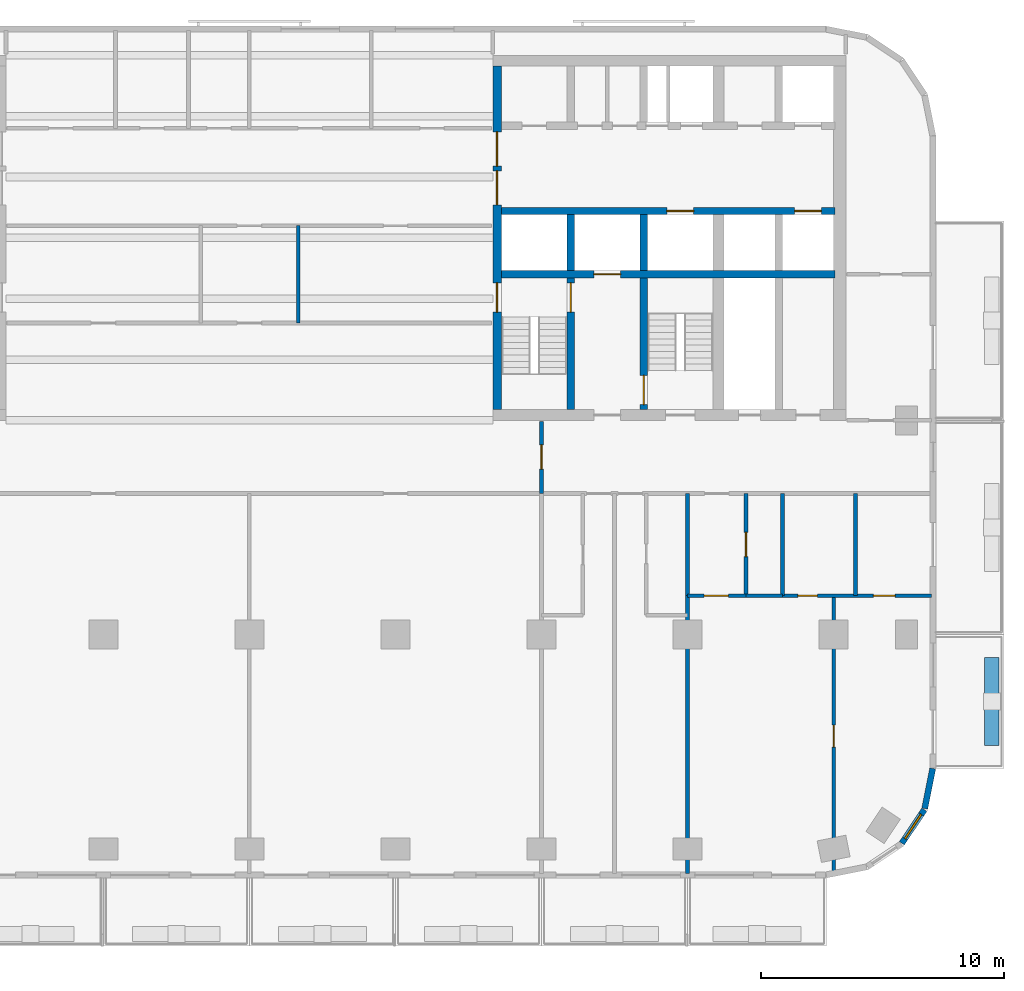
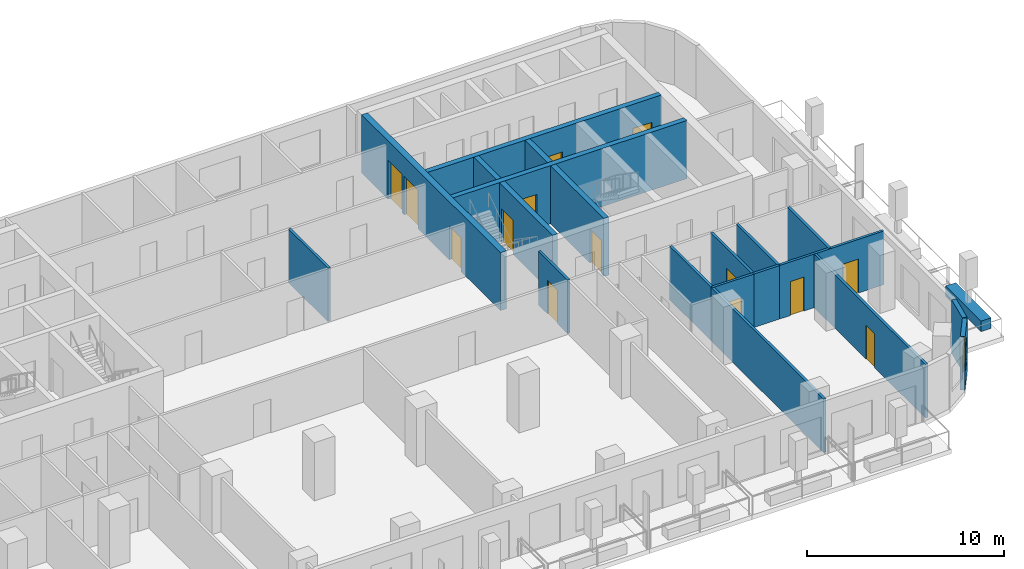
# One storey, part 5 of 11: 21 walls, 14 doors, 1 window, 15 openings.
"""IFC4 building model written with IfcOpenShell, lengths in metres."""

from ifc_helpers import new_model, si_unit, direction, frame, frame_2d, origin, place, context, subcontext, project, spatial, rectangle, extrude, material, layer, layer_set, type_object, element, fill, save


model = new_model("IFC4")

# Units and contexts
model_context = context("Model", 3, precision=1e-05, world=origin(), true_north=direction((0.0, 1.0)))
body_context = subcontext(model_context, "Body", "Model", "MODEL_VIEW")
ifc_project = project(units=[si_unit("LENGTHUNIT", "METRE"), si_unit("AREAUNIT", "SQUARE_METRE"), si_unit("VOLUMEUNIT", "CUBIC_METRE"), si_unit("PLANEANGLEUNIT", "RADIAN"), si_unit("MASSUNIT", "GRAM", prefix="KILO")], contexts=[model_context])

# Site, building, storey
site_placement = place(None, origin())
site = spatial("IfcSite", under=ifc_project, at=site_placement, CompositionType="ELEMENT")
building_placement = place(site_placement, origin())
building = spatial("IfcBuilding", under=site, at=building_placement, Name="Torana Hotel and Residences", CompositionType="ELEMENT")
storey_placement = place(building_placement, frame((0.0, 0.0, 127.199951171875)))
storey = spatial("IfcBuildingStorey", under=building, at=storey_placement, Name="L32", CompositionType="ELEMENT", Elevation=127.199951171875)

# Wall, openings, doors
ifc_material_1 = material(Name="Concrete C70/85", Category="concrete")
ifc_layer_1 = layer(ifc_material_1, 0.300048828125)
ifc_layer_set_1 = layer_set([ifc_layer_1], Name="CORE WALL 300 C70/85")
wall_type_1 = type_object("IfcWallType", Name="CORE WALL 300 C70/85", PredefinedType="SHEAR", material=ifc_layer_set_1)
wall_1_placement = place(storey_placement, frame((10.35009765625, -6.39990234375, 0.0), z_axis=(0.0, 0.0, 1.0), x_axis=(1.0, 0.0, 0.0)))
wall_1 = element("IfcWall", 1, at=wall_1_placement, inside=storey, type_object=wall_type_1, Name="Core wall E row-S", PredefinedType="SHEAR", context=body_context, shape_type="SweptSolid", body=[
    extrude(rectangle(XDim=13.699951171875, YDim=0.300048828125, at=frame_2d((6.85009765625, 0.0))), origin(), (0.0, 0.0, 1.0), 3.60009765625),
])
opening_1_placement = place(wall_1_placement, frame((12.050048828125, 0.0, 0.0)))
opening_1 = element("IfcOpeningElement", 2, at=opening_1_placement, cuts=wall_1, Name="Opening LD", PredefinedType="OPENING", context=body_context, shape_type="SweptSolid", body=[
    extrude(rectangle(XDim=1.10009765625, YDim=2.10009765625, at=frame_2d((0.550048828125, 1.050048828125))), frame((0.0, 0.159912109375, 0.0), z_axis=(0.0, -1.0, 0.0), x_axis=(1.0, 0.0, 0.0)), (0.0, 0.0, 1.0), 0.320068359375),
])
opening_2_placement = place(wall_1_placement, frame((6.800048828125, 0.0, 0.0)))
opening_2 = element("IfcOpeningElement", 3, at=opening_2_placement, cuts=wall_1, Name="Opening LD", PredefinedType="OPENING", context=body_context, shape_type="SweptSolid", body=[
    extrude(rectangle(XDim=1.10009765625, YDim=2.10009765625, at=frame_2d((0.550048828125, 1.050048828125))), frame((0.0, 0.159912109375, 0.0), z_axis=(0.0, -1.0, 0.0), x_axis=(1.0, 0.0, 0.0)), (0.0, 0.0, 1.0), 0.320068359375),
])
ifc_material_2 = material(Name="Stainless steel 316", Category="steel")
door_type_1 = type_object("IfcDoorType", Name="LIFT LANDING DOOR LD 1100x2100", OperationType="DOUBLE_DOOR_SLIDING", PredefinedType="USERDEFINED", material=ifc_material_2)
door_1_placement = place(opening_1_placement, origin())
door_1 = element("IfcDoor", 4, at=door_1_placement, inside=storey, type_object=door_type_1, Name="Lift landing door M4 L32", ObjectType="LIFT LANDING DOOR", OperationType="DOUBLE_DOOR_SLIDING", OverallHeight=2.10009765625, OverallWidth=1.10009765625, PredefinedType="USERDEFINED", context=body_context, shape_type="SweptSolid", body=[
    extrude(rectangle(XDim=1.10009765625, YDim=2.10009765625, at=frame_2d((0.550048828125, 1.050048828125))), frame((0.0, 0.02490234375, 0.0), z_axis=(0.0, -1.0, 0.0), x_axis=(1.0, 0.0, 0.0)), (0.0, 0.0, 1.0), 0.050048828125),
])
fill(opening_1, door_1)
door_2_placement = place(opening_2_placement, origin())
door_2 = element("IfcDoor", 5, at=door_2_placement, inside=storey, type_object=door_type_1, Name="Lift landing door SV2 L32", ObjectType="LIFT LANDING DOOR", OperationType="DOUBLE_DOOR_SLIDING", OverallHeight=2.10009765625, OverallWidth=1.10009765625, PredefinedType="USERDEFINED", context=body_context, shape_type="SweptSolid", body=[
    extrude(rectangle(XDim=1.10009765625, YDim=2.10009765625, at=frame_2d((0.550048828125, 1.050048828125))), frame((0.0, 0.02490234375, 0.0), z_axis=(0.0, -1.0, 0.0), x_axis=(1.0, 0.0, 0.0)), (0.0, 0.0, 1.0), 0.050048828125),
])
fill(opening_2, door_2)

# Wall, opening, door
wall_2_placement = place(storey_placement, frame((10.35009765625, -9.0, 0.0), z_axis=(0.0, 0.0, 1.0), x_axis=(1.0, 0.0, 0.0)))
wall_2 = element("IfcWall", 6, at=wall_2_placement, inside=storey, type_object=wall_type_1, Name="Core wall E band", PredefinedType="SHEAR", context=body_context, shape_type="SweptSolid", body=[
    extrude(rectangle(XDim=13.699951171875, YDim=0.300048828125, at=frame_2d((6.85009765625, 0.0))), origin(), (0.0, 0.0, 1.0), 3.60009765625),
])
opening_3_placement = place(wall_2_placement, frame((3.800048828125, 0.0, 0.0)))
opening_3 = element("IfcOpeningElement", 7, at=opening_3_placement, cuts=wall_2, Name="Opening LD", PredefinedType="OPENING", context=body_context, shape_type="SweptSolid", body=[
    extrude(rectangle(XDim=1.10009765625, YDim=2.10009765625, at=frame_2d((0.550048828125, 1.050048828125))), frame((0.0, 0.159912109375, 0.0), z_axis=(0.0, -1.0, 0.0), x_axis=(1.0, 0.0, 0.0)), (0.0, 0.0, 1.0), 0.320068359375),
])
door_3_placement = place(opening_3_placement, origin())
door_3 = element("IfcDoor", 8, at=door_3_placement, inside=storey, type_object=door_type_1, Name="Lift landing door FF2 L32", ObjectType="LIFT LANDING DOOR", OperationType="DOUBLE_DOOR_SLIDING", OverallHeight=2.10009765625, OverallWidth=1.10009765625, PredefinedType="USERDEFINED", context=body_context, shape_type="SweptSolid", body=[
    extrude(rectangle(XDim=1.10009765625, YDim=2.10009765625, at=frame_2d((0.550048828125, 1.050048828125))), frame((0.0, 0.02490234375, 0.0), z_axis=(0.0, -1.0, 0.0), x_axis=(1.0, 0.0, 0.0)), (0.0, 0.0, 1.0), 0.050048828125),
])
fill(opening_3, door_3)

# Wall
wall_3_placement = place(storey_placement, frame((13.199951171875, -8.85009765625, 0.0), z_axis=(0.0, 0.0, 1.0), x_axis=(0.0, 1.0, 0.0)))
element("IfcWall", 9, at=wall_3_placement, inside=storey, type_object=wall_type_1, Name="Core wall E x3.05-S", PredefinedType="SHEAR", context=body_context, shape_type="SweptSolid", body=[
    extrude(rectangle(XDim=2.300048828125, YDim=0.300048828125, at=frame_2d((1.14990234375, 0.0))), origin(), (0.0, 0.0, 1.0), 3.60009765625),
])

# Wall, opening, door
wall_4_placement = place(storey_placement, frame((13.199951171875, -14.550048828125, 0.0), z_axis=(0.0, 0.0, 1.0), x_axis=(0.0, 1.0, 0.0)))
wall_4 = element("IfcWall", 10, at=wall_4_placement, inside=storey, type_object=wall_type_1, Name="Core wall E x3.05-band", PredefinedType="SHEAR", context=body_context, shape_type="SweptSolid", body=[
    extrude(rectangle(XDim=5.400146484375, YDim=0.300048828125, at=frame_2d((2.7001953125, 0.0))), origin(), (0.0, 0.0, 1.0), 3.60009765625),
])
opening_4_placement = place(wall_4_placement, frame((4.0, 0.0, 0.0)))
opening_4 = element("IfcOpeningElement", 11, at=opening_4_placement, cuts=wall_4, Name="Opening L32-29", PredefinedType="OPENING", context=body_context, shape_type="SweptSolid", body=[
    extrude(rectangle(XDim=1.199951171875, YDim=2.10009765625, at=frame_2d((0.60009765625, 1.050048828125))), frame((0.0, 0.159912109375, 0.0), z_axis=(0.0, -1.0, 0.0), x_axis=(1.0, 0.0, 0.0)), (0.0, 0.0, 1.0), 0.320068359375),
])
ifc_material_3 = material(Name="Steel S235", Category="steel")
door_type_2 = type_object("IfcDoorType", Name="STAIR FIRE DOOR D3 1200x2100", OperationType="SINGLE_SWING_LEFT", PredefinedType="DOOR", material=ifc_material_3)
door_4_placement = place(opening_4_placement, origin())
door_4 = element("IfcDoor", 12, at=door_4_placement, inside=storey, type_object=door_type_2, Name="Stair-A-lobby door L32", OperationType="SINGLE_SWING_LEFT", OverallHeight=2.10009765625, OverallWidth=1.199951171875, PredefinedType="DOOR", context=body_context, shape_type="SweptSolid", body=[
    extrude(rectangle(XDim=1.199951171875, YDim=2.10009765625, at=frame_2d((0.60009765625, 1.050048828125))), frame((0.0, 0.02490234375, 0.0), z_axis=(0.0, -1.0, 0.0), x_axis=(1.0, 0.0, 0.0)), (0.0, 0.0, 1.0), 0.050048828125),
])
fill(opening_4, door_4)

# Wall
wall_5_placement = place(storey_placement, frame((16.199951171875, -8.85009765625, 0.0), z_axis=(0.0, 0.0, 1.0), x_axis=(0.0, 1.0, 0.0)))
element("IfcWall", 13, at=wall_5_placement, inside=storey, type_object=wall_type_1, Name="Core wall E x6.05-S", PredefinedType="SHEAR", context=body_context, shape_type="SweptSolid", body=[
    extrude(rectangle(XDim=2.300048828125, YDim=0.300048828125, at=frame_2d((1.14990234375, 0.0))), origin(), (0.0, 0.0, 1.0), 3.60009765625),
])

# Wall, opening, door
wall_6_placement = place(storey_placement, frame((16.199951171875, -14.550048828125, 0.0), z_axis=(0.0, 0.0, 1.0), x_axis=(0.0, 1.0, 0.0)))
wall_6 = element("IfcWall", 14, at=wall_6_placement, inside=storey, type_object=wall_type_1, Name="Core wall E x6.05-band", PredefinedType="SHEAR", context=body_context, shape_type="SweptSolid", body=[
    extrude(rectangle(XDim=5.400146484375, YDim=0.300048828125, at=frame_2d((2.7001953125, 0.0))), origin(), (0.0, 0.0, 1.0), 3.60009765625),
])
opening_5_placement = place(wall_6_placement, frame((0.199951171875, 0.0, 0.0)))
opening_5 = element("IfcOpeningElement", 15, at=opening_5_placement, cuts=wall_6, Name="Opening L32-30", PredefinedType="OPENING", context=body_context, shape_type="SweptSolid", body=[
    extrude(rectangle(XDim=1.199951171875, YDim=2.10009765625, at=frame_2d((0.60009765625, 1.050048828125))), frame((0.0, 0.159912109375, 0.0), z_axis=(0.0, -1.0, 0.0), x_axis=(1.0, 0.0, 0.0)), (0.0, 0.0, 1.0), 0.320068359375),
])
door_5_placement = place(opening_5_placement, frame((0.60009765625, 0.0, 0.0), z_axis=(0.0, 0.0, 1.0), x_axis=(-1.0, 0.0, 0.0)))
door_5 = element("IfcDoor", 16, at=door_5_placement, inside=storey, type_object=door_type_2, Name="Stair-B-lobby door L32", OperationType="SINGLE_SWING_LEFT", OverallHeight=2.10009765625, OverallWidth=1.199951171875, PredefinedType="DOOR", context=body_context, shape_type="SweptSolid", body=[
    extrude(rectangle(XDim=1.199951171875, YDim=2.10009765625, at=frame_2d((0.0, 1.050048828125))), frame((0.0, -0.02490234375, 0.0), z_axis=(0.0, 1.0, 0.0), x_axis=(-1.0, 0.0, 0.0)), (0.0, 0.0, 1.0), 0.050048828125),
])
fill(opening_5, door_5)

# Wall, openings, doors
ifc_material_4 = material(Name="Concrete C70/85", Category="concrete")
ifc_layer_2 = layer(ifc_material_4, 0.35009765625)
ifc_layer_set_2 = layer_set([ifc_layer_2], Name="CORE WALL 350 C70/85")
wall_type_2 = type_object("IfcWallType", Name="CORE WALL 350 C70/85", PredefinedType="SHEAR", material=ifc_layer_set_2)
wall_7_placement = place(storey_placement, frame((10.175048828125, -14.550048828125, 0.0), z_axis=(0.0, 0.0, 1.0), x_axis=(0.0, 1.0, 0.0)))
wall_7 = element("IfcWall", 17, at=wall_7_placement, inside=storey, type_object=wall_type_2, Name="Core wall E arch", PredefinedType="SHEAR", context=body_context, shape_type="SweptSolid", body=[
    extrude(rectangle(XDim=14.10009765625, YDim=0.35009765625, at=frame_2d((7.050048828125, 0.0))), origin(), (0.0, 0.0, 1.0), 3.60009765625),
])
opening_6_placement = place(wall_7_placement, frame((8.39990234375, 0.0, 0.0)))
opening_6 = element("IfcOpeningElement", 18, at=opening_6_placement, cuts=wall_7, Name="Opening L32-16", PredefinedType="OPENING", context=body_context, shape_type="SweptSolid", body=[
    extrude(rectangle(XDim=1.39990234375, YDim=2.39990234375, at=frame_2d((0.699951171875, 1.199951171875))), frame((0.0, 0.18505859375, 0.0), z_axis=(0.0, -1.0, 0.0), x_axis=(1.0, 0.0, 0.0)), (0.0, 0.0, 1.0), 0.3701171875),
])
opening_7_placement = place(wall_7_placement, frame((10.0, 0.0, 0.0)))
opening_7 = element("IfcOpeningElement", 19, at=opening_7_placement, cuts=wall_7, Name="Opening L32-17", PredefinedType="OPENING", context=body_context, shape_type="SweptSolid", body=[
    extrude(rectangle(XDim=1.39990234375, YDim=2.39990234375, at=frame_2d((0.699951171875, 1.199951171875))), frame((0.0, 0.18505859375, 0.0), z_axis=(0.0, -1.0, 0.0), x_axis=(1.0, 0.0, 0.0)), (0.0, 0.0, 1.0), 0.3701171875),
])
opening_8_placement = place(wall_7_placement, frame((4.0, 0.0, 0.0)))
opening_8 = element("IfcOpeningElement", 20, at=opening_8_placement, cuts=wall_7, Name="Opening L32-18", PredefinedType="OPENING", context=body_context, shape_type="SweptSolid", body=[
    extrude(rectangle(XDim=1.199951171875, YDim=2.10009765625, at=frame_2d((0.60009765625, 1.050048828125))), frame((0.0, 0.18505859375, 0.0), z_axis=(0.0, -1.0, 0.0), x_axis=(1.0, 0.0, 0.0)), (0.0, 0.0, 1.0), 0.3701171875),
])
ifc_material_5 = material(Name="Steel S235", Category="steel")
door_type_3 = type_object("IfcDoorType", Name="LOBBY FIRE DOOR D4 1400x2400", OperationType="DOUBLE_DOOR_SINGLE_SWING", PredefinedType="DOOR", material=ifc_material_5)
door_6_placement = place(opening_6_placement, origin())
door_6 = element("IfcDoor", 21, at=door_6_placement, inside=storey, type_object=door_type_3, Name="Lobby-1 door L32", OperationType="DOUBLE_DOOR_SINGLE_SWING", OverallHeight=2.39990234375, OverallWidth=1.39990234375, PredefinedType="DOOR", context=body_context, shape_type="SweptSolid", body=[
    extrude(rectangle(XDim=1.39990234375, YDim=2.39990234375, at=frame_2d((0.699951171875, 1.199951171875))), frame((0.0, 0.02490234375, 0.0), z_axis=(0.0, -1.0, 0.0), x_axis=(1.0, 0.0, 0.0)), (0.0, 0.0, 1.0), 0.050048828125),
])
fill(opening_6, door_6)
door_7_placement = place(opening_7_placement, origin())
door_7 = element("IfcDoor", 22, at=door_7_placement, inside=storey, type_object=door_type_3, Name="Lobby-2 door L32", OperationType="DOUBLE_DOOR_SINGLE_SWING", OverallHeight=2.39990234375, OverallWidth=1.39990234375, PredefinedType="DOOR", context=body_context, shape_type="SweptSolid", body=[
    extrude(rectangle(XDim=1.39990234375, YDim=2.39990234375, at=frame_2d((0.699951171875, 1.199951171875))), frame((0.0, 0.02490234375, 0.0), z_axis=(0.0, -1.0, 0.0), x_axis=(1.0, 0.0, 0.0)), (0.0, 0.0, 1.0), 0.050048828125),
])
fill(opening_7, door_7)
door_8_placement = place(opening_8_placement, frame((0.60009765625, 0.0, 0.0), z_axis=(0.0, 0.0, 1.0), x_axis=(-1.0, 0.0, 0.0)))
door_8 = element("IfcDoor", 23, at=door_8_placement, inside=storey, type_object=door_type_2, Name="Stair-A door L32", OperationType="SINGLE_SWING_RIGHT", OverallHeight=2.10009765625, OverallWidth=1.199951171875, PredefinedType="DOOR", context=body_context, shape_type="SweptSolid", body=[
    extrude(rectangle(XDim=1.199951171875, YDim=2.10009765625, at=frame_2d((0.0, 1.050048828125))), frame((0.0, -0.02490234375, 0.0), z_axis=(0.0, 1.0, 0.0), x_axis=(-1.0, 0.0, 0.0)), (0.0, 0.0, 1.0), 0.050048828125),
])
fill(opening_8, door_8)

# Wall, opening, window
ifc_material_6 = material(Name="Black aluminium composite panel", Category="aluminium")
ifc_layer_3 = layer(ifc_material_6, 0.00390625, Name="Cladding", Category="cladding")
ifc_material_7 = material(Name="Ventilated air cavity")
ifc_layer_4 = layer(ifc_material_7, 0.0400390625, Name="Ventilated cavity", Category="cavity")
ifc_material_8 = material(Name="Mineral wool insulation")
ifc_layer_5 = layer(ifc_material_8, 0.090087890625, Name="Insulation", Category="insulation")
ifc_material_9 = material(Name="Steel S280GD", Category="steel")
ifc_layer_6 = layer(ifc_material_9, 0.092041015625, Name="Steel stud frame", Category="structure")
ifc_material_10 = material(Name="Fire rated plasterboard")
ifc_layer_7 = layer(ifc_material_10, 0.011962890625, Name="Inner board", Category="finish")
ifc_layer_8 = layer(ifc_material_10, 0.011962890625, Name="Second board", Category="finish")
ifc_layer_set_3 = layer_set([ifc_layer_3, ifc_layer_4, ifc_layer_5, ifc_layer_6, ifc_layer_7, ifc_layer_8], Name="EW1 EXTERNAL WALL BLACK METAL CLAD 250")
wall_type_3 = type_object("IfcWallType", Name="EW1 EXTERNAL WALL BLACK METAL CLAD 250", PredefinedType="SOLIDWALL", material=ifc_layer_set_3)
wall_8_placement = place(storey_placement, frame((26.8056640625, -32.37109375, 0.0), z_axis=(0.0, 0.0, 1.0), x_axis=(0.55555029066, 0.831482937015, 0.0)))
wall_8 = element("IfcWall", 24, at=wall_8_placement, inside=storey, type_object=wall_type_3, Name="External wall L32 e0.17", PredefinedType="SOLIDWALL", context=body_context, shape_type="SweptSolid", body=[
    extrude(rectangle(XDim=1.65625, YDim=0.25, at=frame_2d((0.828125, 0.0))), origin(), (0.0, 0.0, 1.0), 3.320068359375),
])
opening_9_placement = place(wall_8_placement, frame((0.228271484375, 0.0, 0.89990234375)))
opening_9 = element("IfcOpeningElement", 25, at=opening_9_placement, cuts=wall_8, Name="Opening W5", PredefinedType="OPENING", context=body_context, shape_type="SweptSolid", body=[
    extrude(rectangle(XDim=1.199951171875, YDim=1.5, at=frame_2d((0.60009765625, 0.75))), frame((0.0, 0.135009765625, 0.0), z_axis=(0.0, -1.0, 0.0), x_axis=(1.0, 0.0, 0.0)), (0.0, 0.0, 1.0), 0.27001953125),
])
ifc_material_11 = material(Name="Dark glass in black aluminium frame", Category="aluminium")
window_type = type_object("IfcWindowType", Name="W5 CORNER FACET WINDOW 1200x1500", PartitioningType="SINGLE_PANEL", PredefinedType="WINDOW", material=ifc_material_11)
window_placement = place(opening_9_placement, origin())
window = element("IfcWindow", 26, at=window_placement, inside=storey, type_object=window_type, Name="Window L32 e0.17", OverallHeight=1.5, OverallWidth=1.199951171875, PartitioningType="SINGLE_PANEL", PredefinedType="WINDOW", context=body_context, shape_type="SweptSolid", body=[
    extrude(rectangle(XDim=1.199951171875, YDim=1.5, at=frame_2d((0.60009765625, 0.75))), frame((0.0, 0.030029296875, 0.0), z_axis=(0.0, -1.0, 0.0), x_axis=(1.0, 0.0, 0.0)), (0.0, 0.0, 1.0), 0.06005859375),
])
fill(opening_9, window)

# Wall
wall_9_placement = place(storey_placement, frame((27.74462890625, -30.948974609375, 0.0), z_axis=(0.0, 0.0, 1.0), x_axis=(0.194999110559, 0.980803419081, 0.0)))
element("IfcWall", 27, at=wall_9_placement, inside=storey, type_object=wall_type_3, Name="External wall L32 e0.18", PredefinedType="SOLIDWALL", context=body_context, shape_type="SweptSolid", body=[
    extrude(rectangle(XDim=1.681396484375, YDim=0.25, at=frame_2d((0.8408203125, 0.0))), origin(), (0.0, 0.0, 1.0), 3.320068359375),
])

# Wall, opening, door
ifc_material_12 = material(Name="Gypsum plaster")
ifc_layer_9 = layer(ifc_material_12, 0.014892578125, Name="Plaster", Category="finish")
ifc_material_13 = material(Name="Concrete blockwork", Category="masonry")
ifc_layer_10 = layer(ifc_material_13, 0.1201171875, Name="Blockwork", Category="structure")
ifc_layer_11 = layer(ifc_material_12, 0.014892578125, Name="Plaster", Category="finish")
ifc_layer_set_4 = layer_set([ifc_layer_9, ifc_layer_10, ifc_layer_11], Name="FIRE PARTITION 150 BLOCKWORK")
wall_type_4 = type_object("IfcWallType", Name="FIRE PARTITION 150 BLOCKWORK", PredefinedType="PARTITIONING", material=ifc_layer_set_4)
wall_10_placement = place(storey_placement, frame((20.39990234375, -22.199951171875, 0.0), z_axis=(0.0, 0.0, 1.0), x_axis=(0.0, 1.0, 0.0)))
wall_10 = element("IfcWall", 28, at=wall_10_placement, inside=storey, type_object=wall_type_4, Name="Partition L32", PredefinedType="PARTITIONING", context=body_context, shape_type="SweptSolid", body=[
    extrude(rectangle(XDim=4.199951171875, YDim=0.14990234375, at=frame_2d((2.10009765625, 0.0))), origin(), (0.0, 0.0, 1.0), 3.320068359375),
])
opening_10_placement = place(wall_10_placement, frame((1.60009765625, 0.0, 0.0)))
opening_10 = element("IfcOpeningElement", 29, at=opening_10_placement, cuts=wall_10, Name="Opening L32-59", PredefinedType="OPENING", context=body_context, shape_type="SweptSolid", body=[
    extrude(rectangle(XDim=1.0, YDim=2.10009765625, at=frame_2d((0.5, 1.050048828125))), frame((0.0, 0.0849609375, 0.0), z_axis=(0.0, -1.0, 0.0), x_axis=(1.0, 0.0, 0.0)), (0.0, 0.0, 1.0), 0.169921875),
])
ifc_material_14 = material(Name="Steel S235", Category="steel")
door_type_4 = type_object("IfcDoorType", Name="ENTRY FIRE DOOR D6 1000x2100", OperationType="SINGLE_SWING_LEFT", PredefinedType="DOOR", material=ifc_material_14)
door_9_placement = place(opening_10_placement, frame((0.5, 0.0, 0.0), z_axis=(0.0, 0.0, 1.0), x_axis=(-1.0, 0.0, 0.0)))
door_9 = element("IfcDoor", 30, at=door_9_placement, inside=storey, type_object=door_type_4, Name="Door L32", OperationType="SINGLE_SWING_LEFT", OverallHeight=2.10009765625, OverallWidth=1.0, PredefinedType="DOOR", context=body_context, shape_type="SweptSolid", body=[
    extrude(rectangle(XDim=1.0, YDim=2.10009765625, at=frame_2d((0.0, 1.050048828125))), frame((0.0, -0.02490234375, 0.0), z_axis=(0.0, 1.0, 0.0), x_axis=(-1.0, 0.0, 0.0)), (0.0, 0.0, 1.0), 0.050048828125),
])
fill(opening_10, door_9)

# Wall
wall_11_placement = place(storey_placement, frame((18.0, -22.199951171875, 0.0), z_axis=(0.0, 0.0, 1.0), x_axis=(0.0, 1.0, 0.0)))
element("IfcWall", 31, at=wall_11_placement, inside=storey, type_object=wall_type_4, Name="Partition L32", PredefinedType="PARTITIONING", context=body_context, shape_type="SweptSolid", body=[
    extrude(rectangle(XDim=4.199951171875, YDim=0.14990234375, at=frame_2d((2.10009765625, 0.0))), origin(), (0.0, 0.0, 1.0), 3.320068359375),
])

# Wall, opening, door
wall_12_placement = place(storey_placement, frame((12.0, -18.0, 0.0), z_axis=(0.0, 0.0, 1.0), x_axis=(0.0, 1.0, 0.0)))
wall_12 = element("IfcWall", 32, at=wall_12_placement, inside=storey, type_object=wall_type_4, Name="Partition L32", PredefinedType="PARTITIONING", context=body_context, shape_type="SweptSolid", body=[
    extrude(rectangle(XDim=2.949951171875, YDim=0.14990234375, at=frame_2d((1.47509765625, 0.0))), origin(), (0.0, 0.0, 1.0), 3.320068359375),
])
opening_11_placement = place(wall_12_placement, frame((1.0, 0.0, 0.0)))
opening_11 = element("IfcOpeningElement", 33, at=opening_11_placement, cuts=wall_12, Name="Opening L32-35", PredefinedType="OPENING", context=body_context, shape_type="SweptSolid", body=[
    extrude(rectangle(XDim=1.0, YDim=2.10009765625, at=frame_2d((0.5, 1.050048828125))), frame((0.0, 0.0849609375, 0.0), z_axis=(0.0, -1.0, 0.0), x_axis=(1.0, 0.0, 0.0)), (0.0, 0.0, 1.0), 0.169921875),
])
door_10_placement = place(opening_11_placement, origin())
door_10 = element("IfcDoor", 34, at=door_10_placement, inside=storey, type_object=door_type_4, Name="Door L32", OperationType="SINGLE_SWING_RIGHT", OverallHeight=2.10009765625, OverallWidth=1.0, PredefinedType="DOOR", context=body_context, shape_type="SweptSolid", body=[
    extrude(rectangle(XDim=1.0, YDim=2.10009765625, at=frame_2d((0.5, 1.050048828125))), frame((0.0, 0.02490234375, 0.0), z_axis=(0.0, -1.0, 0.0), x_axis=(1.0, 0.0, 0.0)), (0.0, 0.0, 1.0), 0.050048828125),
])
fill(opening_11, door_10)

# Wall
wall_13_placement = place(storey_placement, frame((2.0, -11.0, 0.0), z_axis=(0.0, 0.0, 1.0), x_axis=(0.0, 1.0, 0.0)))
element("IfcWall", 35, at=wall_13_placement, inside=storey, type_object=wall_type_4, Name="Partition L32", PredefinedType="PARTITIONING", context=body_context, shape_type="SweptSolid", body=[
    extrude(rectangle(XDim=4.0, YDim=0.14990234375, at=frame_2d((2.0, 0.0))), origin(), (0.0, 0.0, 1.0), 3.320068359375),
])

# Wall, opening, door
wall_14_placement = place(storey_placement, frame((18.0, -22.199951171875, 0.0), z_axis=(0.0, 0.0, 1.0), x_axis=(1.0, 0.0, 0.0)))
wall_14 = element("IfcWall", 36, at=wall_14_placement, inside=storey, type_object=wall_type_4, Name="Partition L32", PredefinedType="PARTITIONING", context=body_context, shape_type="SweptSolid", body=[
    extrude(rectangle(XDim=2.39990234375, YDim=0.14990234375, at=frame_2d((1.199951171875, 0.0))), origin(), (0.0, 0.0, 1.0), 3.320068359375),
])
opening_12_placement = place(wall_14_placement, frame((0.679931640625, 0.0, 0.0)))
opening_12 = element("IfcOpeningElement", 37, at=opening_12_placement, cuts=wall_14, Name="Opening L32-60", PredefinedType="OPENING", context=body_context, shape_type="SweptSolid", body=[
    extrude(rectangle(XDim=1.0, YDim=2.10009765625, at=frame_2d((0.5, 1.050048828125))), frame((0.0, 0.0849609375, 0.0), z_axis=(0.0, -1.0, 0.0), x_axis=(1.0, 0.0, 0.0)), (0.0, 0.0, 1.0), 0.169921875),
])
door_11_placement = place(opening_12_placement, frame((0.5, 0.0, 0.0), z_axis=(0.0, 0.0, 1.0), x_axis=(-1.0, 0.0, 0.0)))
door_11 = element("IfcDoor", 38, at=door_11_placement, inside=storey, type_object=door_type_4, Name="Door L32", OperationType="SINGLE_SWING_LEFT", OverallHeight=2.10009765625, OverallWidth=1.0, PredefinedType="DOOR", context=body_context, shape_type="SweptSolid", body=[
    extrude(rectangle(XDim=1.0, YDim=2.10009765625, at=frame_2d((0.0, 1.050048828125))), frame((0.0, -0.02490234375, 0.0), z_axis=(0.0, 1.0, 0.0), x_axis=(-1.0, 0.0, 0.0)), (0.0, 0.0, 1.0), 0.050048828125),
])
fill(opening_12, door_11)

# Wall
ifc_material_15 = material(Name="Gypsum plasterboard")
ifc_layer_12 = layer(ifc_material_15, 0.012451171875, Name="Plasterboard", Category="finish")
ifc_layer_13 = layer(ifc_material_15, 0.012451171875, Name="Plasterboard", Category="finish")
ifc_layer_14 = layer(ifc_material_9, 0.10009765625, Name="Steel studs with mineral wool", Category="insulation")
ifc_layer_15 = layer(ifc_material_15, 0.012451171875, Name="Plasterboard", Category="finish")
ifc_layer_16 = layer(ifc_material_15, 0.012451171875, Name="Plasterboard", Category="finish")
ifc_layer_set_5 = layer_set([ifc_layer_12, ifc_layer_13, ifc_layer_14, ifc_layer_15, ifc_layer_16], Name="PARTITION 150 PLASTERBOARD")
wall_type_5 = type_object("IfcWallType", Name="PARTITION 150 PLASTERBOARD", PredefinedType="PARTITIONING", material=ifc_layer_set_5)
wall_15_placement = place(storey_placement, frame((24.89990234375, -22.199951171875, 0.0), z_axis=(0.0, 0.0, 1.0), x_axis=(0.0, 1.0, 0.0)))
element("IfcWall", 39, at=wall_15_placement, inside=storey, type_object=wall_type_5, Name="Partition L32", PredefinedType="PARTITIONING", context=body_context, shape_type="SweptSolid", body=[
    extrude(rectangle(XDim=4.199951171875, YDim=0.14990234375, at=frame_2d((2.10009765625, 0.0))), origin(), (0.0, 0.0, 1.0), 3.320068359375),
])

# Wall, opening, door
wall_16_placement = place(storey_placement, frame((24.0, -33.556884765625, 0.0), z_axis=(0.0, 0.0, 1.0), x_axis=(0.0, 1.0, 0.0)))
wall_16 = element("IfcWall", 40, at=wall_16_placement, inside=storey, type_object=wall_type_5, Name="Partition L32", PredefinedType="PARTITIONING", context=body_context, shape_type="SweptSolid", body=[
    extrude(rectangle(XDim=11.35693359375, YDim=0.14990234375, at=frame_2d((5.678466796875, 0.0))), origin(), (0.0, 0.0, 1.0), 3.320068359375),
])
opening_13_placement = place(wall_16_placement, frame((5.13671875, 0.0, 0.0)))
opening_13 = element("IfcOpeningElement", 41, at=opening_13_placement, cuts=wall_16, Name="Opening L32-63", PredefinedType="OPENING", context=body_context, shape_type="SweptSolid", body=[
    extrude(rectangle(XDim=0.89990234375, YDim=2.10009765625, at=frame_2d((0.449951171875, 1.050048828125))), frame((0.0, 0.0849609375, 0.0), z_axis=(0.0, -1.0, 0.0), x_axis=(1.0, 0.0, 0.0)), (0.0, 0.0, 1.0), 0.169921875),
])
ifc_material_16 = material(Name="Timber door, oiled ash", Category="wood")
door_type_5 = type_object("IfcDoorType", Name="ROOM DOOR D7 900x2100", OperationType="SINGLE_SWING_LEFT", PredefinedType="DOOR", material=ifc_material_16)
door_12_placement = place(opening_13_placement, origin())
door_12 = element("IfcDoor", 42, at=door_12_placement, inside=storey, type_object=door_type_5, Name="Door L32", OperationType="SINGLE_SWING_RIGHT", OverallHeight=2.10009765625, OverallWidth=0.89990234375, PredefinedType="DOOR", context=body_context, shape_type="SweptSolid", body=[
    extrude(rectangle(XDim=0.89990234375, YDim=2.10009765625, at=frame_2d((0.449951171875, 1.050048828125))), frame((0.0, 0.02490234375, 0.0), z_axis=(0.0, -1.0, 0.0), x_axis=(1.0, 0.0, 0.0)), (0.0, 0.0, 1.0), 0.050048828125),
])
fill(opening_13, door_12)

# Wall
wall_17_placement = place(storey_placement, frame((18.0, -33.6201171875, 0.0), z_axis=(0.0, 0.0, 1.0), x_axis=(0.0, 1.0, 0.0)))
element("IfcWall", 43, at=wall_17_placement, inside=storey, type_object=wall_type_5, Name="Partition L32", PredefinedType="PARTITIONING", context=body_context, shape_type="SweptSolid", body=[
    extrude(rectangle(XDim=11.420166015625, YDim=0.14990234375, at=frame_2d((5.7099609375, 0.0))), origin(), (0.0, 0.0, 1.0), 3.320068359375),
])

# Wall, openings, doors
wall_18_placement = place(storey_placement, frame((21.89990234375, -22.199951171875, 0.0), z_axis=(0.0, 0.0, 1.0), x_axis=(1.0, 0.0, 0.0)))
wall_18 = element("IfcWall", 44, at=wall_18_placement, inside=storey, type_object=wall_type_5, Name="Partition L32", PredefinedType="PARTITIONING", context=body_context, shape_type="SweptSolid", body=[
    extrude(rectangle(XDim=6.1201171875, YDim=0.14990234375, at=frame_2d((3.06005859375, 0.0))), origin(), (0.0, 0.0, 1.0), 3.320068359375),
])
opening_14_placement = place(wall_18_placement, frame((0.6298828125, 0.0, 0.0)))
opening_14 = element("IfcOpeningElement", 45, at=opening_14_placement, cuts=wall_18, Name="Opening L32-61", PredefinedType="OPENING", context=body_context, shape_type="SweptSolid", body=[
    extrude(rectangle(XDim=0.800048828125, YDim=2.10009765625, at=frame_2d((0.39990234375, 1.050048828125))), frame((0.0, 0.0849609375, 0.0), z_axis=(0.0, -1.0, 0.0), x_axis=(1.0, 0.0, 0.0)), (0.0, 0.0, 1.0), 0.169921875),
])
opening_15_placement = place(wall_18_placement, frame((3.72998046875, 0.0, 0.0)))
opening_15 = element("IfcOpeningElement", 46, at=opening_15_placement, cuts=wall_18, Name="Opening L32-62", PredefinedType="OPENING", context=body_context, shape_type="SweptSolid", body=[
    extrude(rectangle(XDim=0.89990234375, YDim=2.10009765625, at=frame_2d((0.449951171875, 1.050048828125))), frame((0.0, 0.0849609375, 0.0), z_axis=(0.0, -1.0, 0.0), x_axis=(1.0, 0.0, 0.0)), (0.0, 0.0, 1.0), 0.169921875),
])
ifc_material_17 = material(Name="Timber door, painted", Category="wood")
door_type_6 = type_object("IfcDoorType", Name="BATH DOOR D13 800x2100", OperationType="SINGLE_SWING_LEFT", PredefinedType="DOOR", material=ifc_material_17)
door_13_placement = place(opening_14_placement, origin())
door_13 = element("IfcDoor", 47, at=door_13_placement, inside=storey, type_object=door_type_6, Name="Door L32", OperationType="SINGLE_SWING_RIGHT", OverallHeight=2.10009765625, OverallWidth=0.800048828125, PredefinedType="DOOR", context=body_context, shape_type="SweptSolid", body=[
    extrude(rectangle(XDim=0.800048828125, YDim=2.10009765625, at=frame_2d((0.39990234375, 1.050048828125))), frame((0.0, 0.02490234375, 0.0), z_axis=(0.0, -1.0, 0.0), x_axis=(1.0, 0.0, 0.0)), (0.0, 0.0, 1.0), 0.050048828125),
])
fill(opening_14, door_13)
door_14_placement = place(opening_15_placement, origin())
door_14 = element("IfcDoor", 48, at=door_14_placement, inside=storey, type_object=door_type_5, Name="Door L32", OperationType="SINGLE_SWING_RIGHT", OverallHeight=2.10009765625, OverallWidth=0.89990234375, PredefinedType="DOOR", context=body_context, shape_type="SweptSolid", body=[
    extrude(rectangle(XDim=0.89990234375, YDim=2.10009765625, at=frame_2d((0.449951171875, 1.050048828125))), frame((0.0, 0.02490234375, 0.0), z_axis=(0.0, -1.0, 0.0), x_axis=(1.0, 0.0, 0.0)), (0.0, 0.0, 1.0), 0.050048828125),
])
fill(opening_15, door_14)

# Walls
ifc_material_18 = material(Name="Concrete C40/50 precast", Category="concrete")
ifc_layer_17 = layer(ifc_material_18, 0.10009765625, Name="Planter shell", Category="structure")
ifc_material_19 = material(Name="Root resistant membrane")
ifc_layer_18 = layer(ifc_material_19, 0.00390625, Name="Waterproofing membrane", Category="membrane")
ifc_material_20 = material(Name="Drainage board with filter fleece")
ifc_layer_19 = layer(ifc_material_20, 0.02001953125, Name="Drainage board", Category="drainage")
ifc_material_21 = material(Name="Growing medium")
ifc_layer_20 = layer(ifc_material_21, 0.47607421875, Name="Planting substrate", Category="soil")
ifc_layer_set_6 = layer_set([ifc_layer_17, ifc_layer_18, ifc_layer_19, ifc_layer_20], Name="PL1 BALCONY PLANTER 600")
wall_type_6 = type_object("IfcWallType", Name="PL1 BALCONY PLANTER 600", PredefinedType="USERDEFINED", material=ifc_layer_set_6)
wall_19_placement = place(storey_placement, frame((30.5, -24.75, 0.0), z_axis=(0.0, 0.0, 1.0), x_axis=(0.0, -1.0, 0.0)))
element("IfcWall", 49, at=wall_19_placement, inside=storey, type_object=wall_type_6, Name="Planter 12", ObjectType="PLANTER", PredefinedType="USERDEFINED", context=body_context, shape_type="SweptSolid", body=[
    extrude(rectangle(XDim=3.60009765625, YDim=0.60009765625, at=frame_2d((1.800048828125, 0.0))), origin(), (0.0, 0.0, 1.0), 0.650146484375),
])
ifc_material_22 = material(Name="Ceramic tile on adhesive")
ifc_layer_21 = layer(ifc_material_22, 0.010009765625, Name="Wall tile", Category="finish")
ifc_material_23 = material(Name="Cement render")
ifc_layer_22 = layer(ifc_material_23, 0.010009765625, Name="Render", Category="finish")
ifc_layer_23 = layer(ifc_material_13, 0.110107421875, Name="Blockwork", Category="structure")
ifc_layer_24 = layer(ifc_material_23, 0.010009765625, Name="Render", Category="finish")
ifc_layer_25 = layer(ifc_material_22, 0.010009765625, Name="Wall tile", Category="finish")
ifc_layer_set_7 = layer_set([ifc_layer_21, ifc_layer_22, ifc_layer_23, ifc_layer_24, ifc_layer_25], Name="WC PARTITION 150")
wall_type_7 = type_object("IfcWallType", Name="WC PARTITION 150", PredefinedType="PLUMBINGWALL", material=ifc_layer_set_7)
wall_20_placement = place(storey_placement, frame((21.89990234375, -22.199951171875, 0.0), z_axis=(0.0, 0.0, 1.0), x_axis=(0.0, 1.0, 0.0)))
element("IfcWall", 50, at=wall_20_placement, inside=storey, type_object=wall_type_7, Name="Partition L32", PredefinedType="PLUMBINGWALL", context=body_context, shape_type="SweptSolid", body=[
    extrude(rectangle(XDim=4.199951171875, YDim=0.14990234375, at=frame_2d((2.10009765625, 0.0))), origin(), (0.0, 0.0, 1.0), 3.320068359375),
])
wall_21_placement = place(storey_placement, frame((20.39990234375, -22.199951171875, 0.0), z_axis=(0.0, 0.0, 1.0), x_axis=(1.0, 0.0, 0.0)))
element("IfcWall", 51, at=wall_21_placement, inside=storey, type_object=wall_type_7, Name="Partition L32", PredefinedType="PLUMBINGWALL", context=body_context, shape_type="SweptSolid", body=[
    extrude(rectangle(XDim=1.5, YDim=0.14990234375, at=frame_2d((0.75, 0.0))), origin(), (0.0, 0.0, 1.0), 3.320068359375),
])

save(model, "model.ifc")
